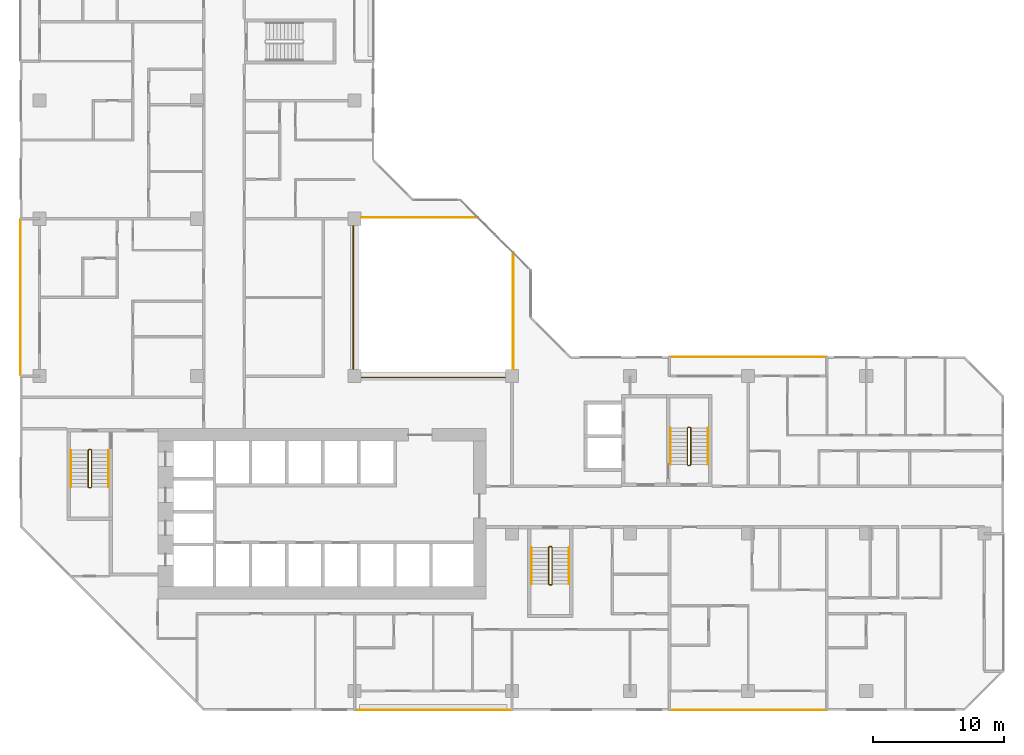
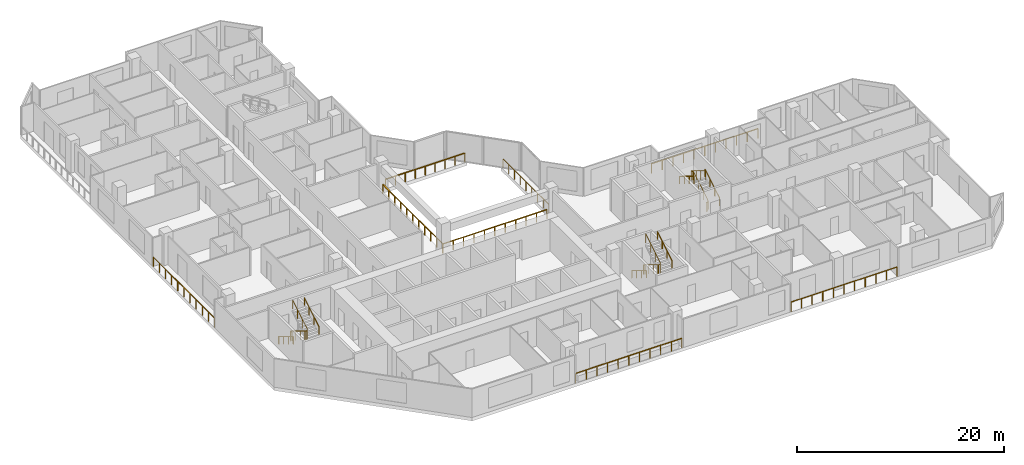
# One storey, part 14 of 15: 16 railings.
"""IFC4 building model written with IfcOpenShell, lengths in metres."""

from ifc_helpers import new_model, si_unit, direction, frame, origin, origin_2d, place, context, subcontext, project, spatial, rectangle, extrude, material, type_object, element, save


model = new_model("IFC4")

# Units and contexts
model_context = context("Model", 3, precision=1e-05, world=origin(), true_north=direction((0.0, 1.0)))
body_context = subcontext(model_context, "Body", "Model", "MODEL_VIEW")
ifc_project = project(units=[si_unit("LENGTHUNIT", "METRE"), si_unit("AREAUNIT", "SQUARE_METRE"), si_unit("VOLUMEUNIT", "CUBIC_METRE"), si_unit("PLANEANGLEUNIT", "RADIAN"), si_unit("MASSUNIT", "GRAM", prefix="KILO")], contexts=[model_context])

# Site, building, storey
site_placement = place(None, origin())
site = spatial("IfcSite", under=ifc_project, at=site_placement, CompositionType="ELEMENT")
building_placement = place(site_placement, origin())
building = spatial("IfcBuilding", under=site, at=building_placement, Name="Chenar Terraces", CompositionType="ELEMENT")
storey_placement = place(building_placement, frame((0.0, 0.0, 95.64990234375)))
storey = spatial("IfcBuildingStorey", under=building, at=storey_placement, Name="L21", CompositionType="ELEMENT", Elevation=95.64990234375)

# Railings
ifc_material_1 = material(Name="Powder-coated steel", Category="steel")
railing_type_1 = type_object("IfcRailingType", Name="Guard 1100 steel rail with glass infill", PredefinedType="GUARDRAIL", material=ifc_material_1)
railing_1_placement = place(storey_placement, frame((23.89990234375, 35.5, 0.0)))
element("IfcRailing", 1, at=railing_1_placement, inside=storey, type_object=railing_type_1, Name="Guard L21-1", PredefinedType="GUARDRAIL", context=body_context, shape_type="SweptSolid", body=[
    extrude(rectangle(XDim=0.06005859375, YDim=0.06005859375, at=origin_2d()), frame((0.0, 0.0, 1.070068359375), z_axis=(0.0, -1.0, 0.0), x_axis=(1.0, 0.0, 0.0)), (0.0, 0.0, 1.0), 11.60009765625),
    extrude(rectangle(XDim=0.06005859375, YDim=0.06005859375, at=origin_2d()), frame((0.0, -11.60009765625, 1.070068359375), z_axis=(1.0, 0.0, 0.0), x_axis=(0.0, 1.0, 0.0)), (0.0, 0.0, 1.0), 11.60009765625),
    extrude(rectangle(XDim=0.050048828125, YDim=0.050048828125, at=origin_2d()), origin(), (0.0, 0.0, 1.0), 1.0400390625),
    extrude(rectangle(XDim=0.050048828125, YDim=0.050048828125, at=origin_2d()), frame((0.0, -1.159912109375, 0.0)), (0.0, 0.0, 1.0), 1.0400390625),
    extrude(rectangle(XDim=0.050048828125, YDim=0.050048828125, at=origin_2d()), frame((0.0, -2.320068359375, 0.0)), (0.0, 0.0, 1.0), 1.0400390625),
    extrude(rectangle(XDim=0.050048828125, YDim=0.050048828125, at=origin_2d()), frame((0.0, -3.47998046875, 0.0)), (0.0, 0.0, 1.0), 1.0400390625),
    extrude(rectangle(XDim=0.050048828125, YDim=0.050048828125, at=origin_2d()), frame((0.0, -4.64013671875, 0.0)), (0.0, 0.0, 1.0), 1.0400390625),
    extrude(rectangle(XDim=0.050048828125, YDim=0.050048828125, at=origin_2d()), frame((0.0, -5.800048828125, 0.0)), (0.0, 0.0, 1.0), 1.0400390625),
    extrude(rectangle(XDim=0.050048828125, YDim=0.050048828125, at=origin_2d()), frame((0.0, -6.9599609375, 0.0)), (0.0, 0.0, 1.0), 1.0400390625),
    extrude(rectangle(XDim=0.050048828125, YDim=0.050048828125, at=origin_2d()), frame((0.0, -8.1201171875, 0.0)), (0.0, 0.0, 1.0), 1.0400390625),
    extrude(rectangle(XDim=0.050048828125, YDim=0.050048828125, at=origin_2d()), frame((0.0, -9.280029296875, 0.0)), (0.0, 0.0, 1.0), 1.0400390625),
    extrude(rectangle(XDim=0.050048828125, YDim=0.050048828125, at=origin_2d()), frame((0.0, -10.440185546875, 0.0)), (0.0, 0.0, 1.0), 1.0400390625),
    extrude(rectangle(XDim=0.050048828125, YDim=0.050048828125, at=origin_2d()), frame((0.0, -11.60009765625, 0.0)), (0.0, 0.0, 1.0), 1.0400390625),
    extrude(rectangle(XDim=0.050048828125, YDim=0.050048828125, at=origin_2d()), frame((1.159912109375, -11.60009765625, 0.0)), (0.0, 0.0, 1.0), 1.0400390625),
    extrude(rectangle(XDim=0.050048828125, YDim=0.050048828125, at=origin_2d()), frame((2.320068359375, -11.60009765625, 0.0)), (0.0, 0.0, 1.0), 1.0400390625),
    extrude(rectangle(XDim=0.050048828125, YDim=0.050048828125, at=origin_2d()), frame((3.47998046875, -11.60009765625, 0.0)), (0.0, 0.0, 1.0), 1.0400390625),
    extrude(rectangle(XDim=0.050048828125, YDim=0.050048828125, at=origin_2d()), frame((4.64013671875, -11.60009765625, 0.0)), (0.0, 0.0, 1.0), 1.0400390625),
    extrude(rectangle(XDim=0.050048828125, YDim=0.050048828125, at=origin_2d()), frame((5.800048828125, -11.60009765625, 0.0)), (0.0, 0.0, 1.0), 1.0400390625),
    extrude(rectangle(XDim=0.050048828125, YDim=0.050048828125, at=origin_2d()), frame((6.9599609375, -11.60009765625, 0.0)), (0.0, 0.0, 1.0), 1.0400390625),
    extrude(rectangle(XDim=0.050048828125, YDim=0.050048828125, at=origin_2d()), frame((8.1201171875, -11.60009765625, 0.0)), (0.0, 0.0, 1.0), 1.0400390625),
    extrude(rectangle(XDim=0.050048828125, YDim=0.050048828125, at=origin_2d()), frame((9.280029296875, -11.60009765625, 0.0)), (0.0, 0.0, 1.0), 1.0400390625),
    extrude(rectangle(XDim=0.050048828125, YDim=0.050048828125, at=origin_2d()), frame((10.440185546875, -11.60009765625, 0.0)), (0.0, 0.0, 1.0), 1.0400390625),
    extrude(rectangle(XDim=0.050048828125, YDim=0.050048828125, at=origin_2d()), frame((11.60009765625, -11.60009765625, 0.0)), (0.0, 0.0, 1.0), 1.0400390625),
])
railing_2_placement = place(storey_placement, frame((24.550048828125, 36.10009765625, 0.0)))
element("IfcRailing", 2, at=railing_2_placement, inside=storey, type_object=railing_type_1, Name="Guard L21-2", PredefinedType="GUARDRAIL", context=body_context, shape_type="SweptSolid", body=[
    extrude(rectangle(XDim=0.06005859375, YDim=0.06005859375, at=origin_2d()), frame((0.0, 0.0, 1.070068359375), z_axis=(1.0, 0.0, 0.0), x_axis=(0.0, 1.0, 0.0)), (0.0, 0.0, 1.0), 8.849853515625),
    extrude(rectangle(XDim=0.050048828125, YDim=0.050048828125, at=origin_2d()), origin(), (0.0, 0.0, 1.0), 1.0400390625),
    extrude(rectangle(XDim=0.050048828125, YDim=0.050048828125, at=origin_2d()), frame((1.106201171875, 0.0, 0.0)), (0.0, 0.0, 1.0), 1.0400390625),
    extrude(rectangle(XDim=0.050048828125, YDim=0.050048828125, at=origin_2d()), frame((2.21240234375, 0.0, 0.0)), (0.0, 0.0, 1.0), 1.0400390625),
    extrude(rectangle(XDim=0.050048828125, YDim=0.050048828125, at=origin_2d()), frame((3.318603515625, 0.0, 0.0)), (0.0, 0.0, 1.0), 1.0400390625),
    extrude(rectangle(XDim=0.050048828125, YDim=0.050048828125, at=origin_2d()), frame((4.4248046875, 0.0, 0.0)), (0.0, 0.0, 1.0), 1.0400390625),
    extrude(rectangle(XDim=0.050048828125, YDim=0.050048828125, at=origin_2d()), frame((5.53125, 0.0, 0.0)), (0.0, 0.0, 1.0), 1.0400390625),
    extrude(rectangle(XDim=0.050048828125, YDim=0.050048828125, at=origin_2d()), frame((6.637451171875, 0.0, 0.0)), (0.0, 0.0, 1.0), 1.0400390625),
    extrude(rectangle(XDim=0.050048828125, YDim=0.050048828125, at=origin_2d()), frame((7.74365234375, 0.0, 0.0)), (0.0, 0.0, 1.0), 1.0400390625),
    extrude(rectangle(XDim=0.050048828125, YDim=0.050048828125, at=origin_2d()), frame((8.849853515625, 0.0, 0.0)), (0.0, 0.0, 1.0), 1.0400390625),
])
railing_3_placement = place(storey_placement, frame((36.10009765625, 24.550048828125, 0.0)))
element("IfcRailing", 3, at=railing_3_placement, inside=storey, type_object=railing_type_1, Name="Guard L21-3", PredefinedType="GUARDRAIL", context=body_context, shape_type="SweptSolid", body=[
    extrude(rectangle(XDim=0.06005859375, YDim=0.06005859375, at=origin_2d()), frame((0.0, 0.0, 1.070068359375), z_axis=(0.0, 1.0, 0.0), x_axis=(-1.0, 0.0, 0.0)), (0.0, 0.0, 1.0), 8.849853515625),
    extrude(rectangle(XDim=0.050048828125, YDim=0.050048828125, at=origin_2d()), origin(), (0.0, 0.0, 1.0), 1.0400390625),
    extrude(rectangle(XDim=0.050048828125, YDim=0.050048828125, at=origin_2d()), frame((0.0, 1.106201171875, 0.0)), (0.0, 0.0, 1.0), 1.0400390625),
    extrude(rectangle(XDim=0.050048828125, YDim=0.050048828125, at=origin_2d()), frame((0.0, 2.21240234375, 0.0)), (0.0, 0.0, 1.0), 1.0400390625),
    extrude(rectangle(XDim=0.050048828125, YDim=0.050048828125, at=origin_2d()), frame((0.0, 3.318603515625, 0.0)), (0.0, 0.0, 1.0), 1.0400390625),
    extrude(rectangle(XDim=0.050048828125, YDim=0.050048828125, at=origin_2d()), frame((0.0, 4.4248046875, 0.0)), (0.0, 0.0, 1.0), 1.0400390625),
    extrude(rectangle(XDim=0.050048828125, YDim=0.050048828125, at=origin_2d()), frame((0.0, 5.53125, 0.0)), (0.0, 0.0, 1.0), 1.0400390625),
    extrude(rectangle(XDim=0.050048828125, YDim=0.050048828125, at=origin_2d()), frame((0.0, 6.637451171875, 0.0)), (0.0, 0.0, 1.0), 1.0400390625),
    extrude(rectangle(XDim=0.050048828125, YDim=0.050048828125, at=origin_2d()), frame((0.0, 7.74365234375, 0.0)), (0.0, 0.0, 1.0), 1.0400390625),
    extrude(rectangle(XDim=0.050048828125, YDim=0.050048828125, at=origin_2d()), frame((0.0, 8.849853515625, 0.0)), (0.0, 0.0, 1.0), 1.0400390625),
])
ifc_material_2 = material(Name="Stainless steel and glass", Category="steel")
railing_type_2 = type_object("IfcRailingType", Name="Loggia guard 1150", PredefinedType="GUARDRAIL", material=ifc_material_2)
railing_4_placement = place(storey_placement, frame((59.925048828125, 25.449951171875, 0.0)))
element("IfcRailing", 4, at=railing_4_placement, inside=storey, type_object=railing_type_2, Name="Loggia guard", PredefinedType="GUARDRAIL", context=body_context, shape_type="SweptSolid", body=[
    extrude(rectangle(XDim=0.048095703125, YDim=0.048095703125, at=origin_2d()), frame((0.0, 0.0, 1.1259765625), z_axis=(-1.0, 0.0, 0.0), x_axis=(0.0, -1.0, 0.0)), (0.0, 0.0, 1.0), 11.85009765625),
    extrude(rectangle(XDim=0.0419921875, YDim=0.0419921875, at=origin_2d()), origin(), (0.0, 0.0, 1.0), 1.101806640625),
    extrude(rectangle(XDim=0.0419921875, YDim=0.0419921875, at=origin_2d()), frame((-1.18505859375, 0.0, 0.0)), (0.0, 0.0, 1.0), 1.101806640625),
    extrude(rectangle(XDim=0.0419921875, YDim=0.0419921875, at=origin_2d()), frame((-2.3701171875, 0.0, 0.0)), (0.0, 0.0, 1.0), 1.101806640625),
    extrude(rectangle(XDim=0.0419921875, YDim=0.0419921875, at=origin_2d()), frame((-3.554931640625, 0.0, 0.0)), (0.0, 0.0, 1.0), 1.101806640625),
    extrude(rectangle(XDim=0.0419921875, YDim=0.0419921875, at=origin_2d()), frame((-4.739990234375, 0.0, 0.0)), (0.0, 0.0, 1.0), 1.101806640625),
    extrude(rectangle(XDim=0.0419921875, YDim=0.0419921875, at=origin_2d()), frame((-5.925048828125, 0.0, 0.0)), (0.0, 0.0, 1.0), 1.101806640625),
    extrude(rectangle(XDim=0.0419921875, YDim=0.0419921875, at=origin_2d()), frame((-7.110107421875, 0.0, 0.0)), (0.0, 0.0, 1.0), 1.101806640625),
    extrude(rectangle(XDim=0.0419921875, YDim=0.0419921875, at=origin_2d()), frame((-8.295166015625, 0.0, 0.0)), (0.0, 0.0, 1.0), 1.101806640625),
    extrude(rectangle(XDim=0.0419921875, YDim=0.0419921875, at=origin_2d()), frame((-9.47998046875, 0.0, 0.0)), (0.0, 0.0, 1.0), 1.101806640625),
    extrude(rectangle(XDim=0.0419921875, YDim=0.0419921875, at=origin_2d()), frame((-10.6650390625, 0.0, 0.0)), (0.0, 0.0, 1.0), 1.101806640625),
    extrude(rectangle(XDim=0.0419921875, YDim=0.0419921875, at=origin_2d()), frame((-11.85009765625, 0.0, 0.0)), (0.0, 0.0, 1.0), 1.101806640625),
])
railing_5_placement = place(storey_placement, frame((24.074951171875, -1.449951171875, 0.0)))
element("IfcRailing", 5, at=railing_5_placement, inside=storey, type_object=railing_type_2, Name="Loggia guard", PredefinedType="GUARDRAIL", context=body_context, shape_type="SweptSolid", body=[
    extrude(rectangle(XDim=0.048095703125, YDim=0.048095703125, at=origin_2d()), frame((0.0, 0.0, 1.1259765625), z_axis=(1.0, 0.0, 0.0), x_axis=(0.0, 1.0, 0.0)), (0.0, 0.0, 1.0), 11.85009765625),
    extrude(rectangle(XDim=0.0419921875, YDim=0.0419921875, at=origin_2d()), origin(), (0.0, 0.0, 1.0), 1.101806640625),
    extrude(rectangle(XDim=0.0419921875, YDim=0.0419921875, at=origin_2d()), frame((1.18505859375, 0.0, 0.0)), (0.0, 0.0, 1.0), 1.101806640625),
    extrude(rectangle(XDim=0.0419921875, YDim=0.0419921875, at=origin_2d()), frame((2.3701171875, 0.0, 0.0)), (0.0, 0.0, 1.0), 1.101806640625),
    extrude(rectangle(XDim=0.0419921875, YDim=0.0419921875, at=origin_2d()), frame((3.554931640625, 0.0, 0.0)), (0.0, 0.0, 1.0), 1.101806640625),
    extrude(rectangle(XDim=0.0419921875, YDim=0.0419921875, at=origin_2d()), frame((4.739990234375, 0.0, 0.0)), (0.0, 0.0, 1.0), 1.101806640625),
    extrude(rectangle(XDim=0.0419921875, YDim=0.0419921875, at=origin_2d()), frame((5.925048828125, 0.0, 0.0)), (0.0, 0.0, 1.0), 1.101806640625),
    extrude(rectangle(XDim=0.0419921875, YDim=0.0419921875, at=origin_2d()), frame((7.110107421875, 0.0, 0.0)), (0.0, 0.0, 1.0), 1.101806640625),
    extrude(rectangle(XDim=0.0419921875, YDim=0.0419921875, at=origin_2d()), frame((8.295166015625, 0.0, 0.0)), (0.0, 0.0, 1.0), 1.101806640625),
    extrude(rectangle(XDim=0.0419921875, YDim=0.0419921875, at=origin_2d()), frame((9.47998046875, 0.0, 0.0)), (0.0, 0.0, 1.0), 1.101806640625),
    extrude(rectangle(XDim=0.0419921875, YDim=0.0419921875, at=origin_2d()), frame((10.6650390625, 0.0, 0.0)), (0.0, 0.0, 1.0), 1.101806640625),
    extrude(rectangle(XDim=0.0419921875, YDim=0.0419921875, at=origin_2d()), frame((11.85009765625, 0.0, 0.0)), (0.0, 0.0, 1.0), 1.101806640625),
])
railing_6_placement = place(storey_placement, frame((48.074951171875, -1.449951171875, 0.0)))
element("IfcRailing", 6, at=railing_6_placement, inside=storey, type_object=railing_type_2, Name="Loggia guard", PredefinedType="GUARDRAIL", context=body_context, shape_type="SweptSolid", body=[
    extrude(rectangle(XDim=0.048095703125, YDim=0.048095703125, at=origin_2d()), frame((0.0, 0.0, 1.1259765625), z_axis=(1.0, 0.0, 0.0), x_axis=(0.0, 1.0, 0.0)), (0.0, 0.0, 1.0), 11.85009765625),
    extrude(rectangle(XDim=0.0419921875, YDim=0.0419921875, at=origin_2d()), origin(), (0.0, 0.0, 1.0), 1.101806640625),
    extrude(rectangle(XDim=0.0419921875, YDim=0.0419921875, at=origin_2d()), frame((1.18505859375, 0.0, 0.0)), (0.0, 0.0, 1.0), 1.101806640625),
    extrude(rectangle(XDim=0.0419921875, YDim=0.0419921875, at=origin_2d()), frame((2.3701171875, 0.0, 0.0)), (0.0, 0.0, 1.0), 1.101806640625),
    extrude(rectangle(XDim=0.0419921875, YDim=0.0419921875, at=origin_2d()), frame((3.554931640625, 0.0, 0.0)), (0.0, 0.0, 1.0), 1.101806640625),
    extrude(rectangle(XDim=0.0419921875, YDim=0.0419921875, at=origin_2d()), frame((4.739990234375, 0.0, 0.0)), (0.0, 0.0, 1.0), 1.101806640625),
    extrude(rectangle(XDim=0.0419921875, YDim=0.0419921875, at=origin_2d()), frame((5.925048828125, 0.0, 0.0)), (0.0, 0.0, 1.0), 1.101806640625),
    extrude(rectangle(XDim=0.0419921875, YDim=0.0419921875, at=origin_2d()), frame((7.110107421875, 0.0, 0.0)), (0.0, 0.0, 1.0), 1.101806640625),
    extrude(rectangle(XDim=0.0419921875, YDim=0.0419921875, at=origin_2d()), frame((8.295166015625, 0.0, 0.0)), (0.0, 0.0, 1.0), 1.101806640625),
    extrude(rectangle(XDim=0.0419921875, YDim=0.0419921875, at=origin_2d()), frame((9.47998046875, 0.0, 0.0)), (0.0, 0.0, 1.0), 1.101806640625),
    extrude(rectangle(XDim=0.0419921875, YDim=0.0419921875, at=origin_2d()), frame((10.6650390625, 0.0, 0.0)), (0.0, 0.0, 1.0), 1.101806640625),
    extrude(rectangle(XDim=0.0419921875, YDim=0.0419921875, at=origin_2d()), frame((11.85009765625, 0.0, 0.0)), (0.0, 0.0, 1.0), 1.101806640625),
])
railing_7_placement = place(storey_placement, frame((-1.449951171875, 35.925048828125, 0.0)))
element("IfcRailing", 7, at=railing_7_placement, inside=storey, type_object=railing_type_2, Name="Loggia guard", PredefinedType="GUARDRAIL", context=body_context, shape_type="SweptSolid", body=[
    extrude(rectangle(XDim=0.048095703125, YDim=0.048095703125, at=origin_2d()), frame((0.0, 0.0, 1.1259765625), z_axis=(0.0, -1.0, 0.0), x_axis=(1.0, 0.0, 0.0)), (0.0, 0.0, 1.0), 11.85009765625),
    extrude(rectangle(XDim=0.0419921875, YDim=0.0419921875, at=origin_2d()), origin(), (0.0, 0.0, 1.0), 1.101806640625),
    extrude(rectangle(XDim=0.0419921875, YDim=0.0419921875, at=origin_2d()), frame((0.0, -1.18505859375, 0.0)), (0.0, 0.0, 1.0), 1.101806640625),
    extrude(rectangle(XDim=0.0419921875, YDim=0.0419921875, at=origin_2d()), frame((0.0, -2.3701171875, 0.0)), (0.0, 0.0, 1.0), 1.101806640625),
    extrude(rectangle(XDim=0.0419921875, YDim=0.0419921875, at=origin_2d()), frame((0.0, -3.554931640625, 0.0)), (0.0, 0.0, 1.0), 1.101806640625),
    extrude(rectangle(XDim=0.0419921875, YDim=0.0419921875, at=origin_2d()), frame((0.0, -4.739990234375, 0.0)), (0.0, 0.0, 1.0), 1.101806640625),
    extrude(rectangle(XDim=0.0419921875, YDim=0.0419921875, at=origin_2d()), frame((0.0, -5.925048828125, 0.0)), (0.0, 0.0, 1.0), 1.101806640625),
    extrude(rectangle(XDim=0.0419921875, YDim=0.0419921875, at=origin_2d()), frame((0.0, -7.110107421875, 0.0)), (0.0, 0.0, 1.0), 1.101806640625),
    extrude(rectangle(XDim=0.0419921875, YDim=0.0419921875, at=origin_2d()), frame((0.0, -8.295166015625, 0.0)), (0.0, 0.0, 1.0), 1.101806640625),
    extrude(rectangle(XDim=0.0419921875, YDim=0.0419921875, at=origin_2d()), frame((0.0, -9.47998046875, 0.0)), (0.0, 0.0, 1.0), 1.101806640625),
    extrude(rectangle(XDim=0.0419921875, YDim=0.0419921875, at=origin_2d()), frame((0.0, -10.6650390625, 0.0)), (0.0, 0.0, 1.0), 1.101806640625),
    extrude(rectangle(XDim=0.0419921875, YDim=0.0419921875, at=origin_2d()), frame((0.0, -11.85009765625, 0.0)), (0.0, 0.0, 1.0), 1.101806640625),
])
ifc_material_3 = material(Name="Powder-coated steel", Category="steel")
railing_type_3 = type_object("IfcRailingType", Name="Stair guard 1100", PredefinedType="GUARDRAIL", material=ifc_material_3)
railing_8_placement = place(storey_placement, frame((3.949951171875, 18.35009765625, 3.75)))
element("IfcRailing", 8, at=railing_8_placement, inside=storey, type_object=railing_type_3, Name="L21 ST1 stair guard 1", PredefinedType="GUARDRAIL", context=body_context, shape_type="SweptSolid", body=[
    extrude(rectangle(XDim=0.048095703125, YDim=0.048095703125, at=origin_2d()), frame((0.0, 0.0, 1.076171875), z_axis=(0.0, -0.854202870247, -0.519939858505), x_axis=(1.0, 0.0, 0.0)), (0.0, 0.0, 1.0), 3.278076171875),
    extrude(rectangle(XDim=0.048095703125, YDim=0.048095703125, at=origin_2d()), frame((0.0, -2.800048828125, -0.62841796875), z_axis=(-0.270899902878, -0.270899902878, -0.923702595667), x_axis=(0.707106781187, -0.707106781187, 0.0)), (0.0, 0.0, 1.0), 0.184814453125),
    extrude(rectangle(XDim=0.048095703125, YDim=0.048095703125, at=origin_2d()), frame((-0.050048828125, -2.85009765625, -0.798828125), z_axis=(-1.0, 0.0, 0.0), x_axis=(0.0, -1.0, 0.0)), (0.0, 0.0, 1.0), 0.14990234375),
    extrude(rectangle(XDim=0.048095703125, YDim=0.048095703125, at=origin_2d()), frame((-0.199951171875, -2.85009765625, -0.798828125), z_axis=(-0.707106781187, 0.707106781187, 0.0), x_axis=(-0.707106781187, -0.707106781187, 0.0)), (0.0, 0.0, 1.0), 0.07080078125),
    extrude(rectangle(XDim=0.048095703125, YDim=0.048095703125, at=origin_2d()), frame((-0.25, -2.800048828125, -0.798828125), z_axis=(0.0, 0.854202870247, -0.519939858505), x_axis=(-1.0, 0.0, 0.0)), (0.0, 0.0, 1.0), 3.278076171875),
    extrude(rectangle(XDim=0.048095703125, YDim=0.048095703125, at=origin_2d()), frame((-0.25, 0.0, -2.50341796875), z_axis=(0.270996696079, 0.269674760976, -0.924032636873), x_axis=(-0.705375805398, 0.708833529934, 0.0)), (0.0, 0.0, 1.0), 0.1845703125),
    extrude(rectangle(XDim=0.048095703125, YDim=0.048095703125, at=origin_2d()), frame((-0.199951171875, 0.0498046875, -2.673828125), z_axis=(1.0, 0.0, 0.0), x_axis=(0.0, 1.0, 0.0)), (0.0, 0.0, 1.0), 0.14990234375),
    extrude(rectangle(XDim=0.0419921875, YDim=0.0419921875, at=origin_2d()), origin(), (0.0, 0.0, 1.0), 1.052001953125),
    extrude(rectangle(XDim=0.0419921875, YDim=0.0419921875, at=origin_2d()), frame((0.0, -0.933349609375, -0.568115234375)), (0.0, 0.0, 1.0), 1.052001953125),
    extrude(rectangle(XDim=0.0419921875, YDim=0.0419921875, at=origin_2d()), frame((0.0, -1.86669921875, -1.13623046875)), (0.0, 0.0, 1.0), 1.052001953125),
    extrude(rectangle(XDim=0.0419921875, YDim=0.0419921875, at=origin_2d()), frame((0.0, -2.800048828125, -1.704345703125)), (0.0, 0.0, 1.0), 1.052001953125),
    extrude(rectangle(XDim=0.0419921875, YDim=0.0419921875, at=origin_2d()), frame((-0.050048828125, -2.85009765625, -1.875)), (0.0, 0.0, 1.0), 1.052001953125),
    extrude(rectangle(XDim=0.0419921875, YDim=0.0419921875, at=origin_2d()), frame((-0.199951171875, -2.85009765625, -1.875)), (0.0, 0.0, 1.0), 1.052001953125),
    extrude(rectangle(XDim=0.0419921875, YDim=0.0419921875, at=origin_2d()), frame((-0.25, -2.800048828125, -1.875)), (0.0, 0.0, 1.0), 1.052001953125),
    extrude(rectangle(XDim=0.0419921875, YDim=0.0419921875, at=origin_2d()), frame((-0.25, -1.86669921875, -2.443115234375)), (0.0, 0.0, 1.0), 1.052001953125),
    extrude(rectangle(XDim=0.0419921875, YDim=0.0419921875, at=origin_2d()), frame((-0.25, -0.933349609375, -3.01123046875)), (0.0, 0.0, 1.0), 1.052001953125),
    extrude(rectangle(XDim=0.0419921875, YDim=0.0419921875, at=origin_2d()), frame((-0.25, 0.0, -3.579345703125)), (0.0, 0.0, 1.0), 1.052001953125),
    extrude(rectangle(XDim=0.0419921875, YDim=0.0419921875, at=origin_2d()), frame((-0.199951171875, 0.0498046875, -3.75)), (0.0, 0.0, 1.0), 1.052001953125),
    extrude(rectangle(XDim=0.0419921875, YDim=0.0419921875, at=origin_2d()), frame((-0.050048828125, 0.0498046875, -3.75)), (0.0, 0.0, 1.0), 1.052001953125),
])
railing_9_placement = place(storey_placement, frame((39.050048828125, 10.949951171875, 3.75)))
element("IfcRailing", 9, at=railing_9_placement, inside=storey, type_object=railing_type_3, Name="L21 ST2 stair guard 1", PredefinedType="GUARDRAIL", context=body_context, shape_type="SweptSolid", body=[
    extrude(rectangle(XDim=0.048095703125, YDim=0.048095703125, at=origin_2d()), frame((0.0, 0.0, 1.076171875), z_axis=(0.0, -0.854202870247, -0.519939858505), x_axis=(1.0, 0.0, 0.0)), (0.0, 0.0, 1.0), 3.278076171875),
    extrude(rectangle(XDim=0.048095703125, YDim=0.048095703125, at=origin_2d()), frame((0.0, -2.800048828125, -0.62841796875), z_axis=(-0.270996696079, -0.269674760976, -0.924032636873), x_axis=(0.705375805398, -0.708833529934, 0.0)), (0.0, 0.0, 1.0), 0.1845703125),
    extrude(rectangle(XDim=0.048095703125, YDim=0.048095703125, at=origin_2d()), frame((-0.050048828125, -2.849853515625, -0.798828125), z_axis=(-1.0, 0.0, 0.0), x_axis=(0.0, -1.0, 0.0)), (0.0, 0.0, 1.0), 0.14990234375),
    extrude(rectangle(XDim=0.048095703125, YDim=0.048095703125, at=origin_2d()), frame((-0.199951171875, -2.849853515625, -0.798828125), z_axis=(-0.708833529934, 0.705375805398, 0.0), x_axis=(-0.705375805398, -0.708833529934, 0.0)), (0.0, 0.0, 1.0), 0.070556640625),
    extrude(rectangle(XDim=0.048095703125, YDim=0.048095703125, at=origin_2d()), frame((-0.25, -2.800048828125, -0.798828125), z_axis=(0.0, 0.854202870247, -0.519939858505), x_axis=(-1.0, 0.0, 0.0)), (0.0, 0.0, 1.0), 3.278076171875),
    extrude(rectangle(XDim=0.048095703125, YDim=0.048095703125, at=origin_2d()), frame((-0.25, 0.0, -2.50341796875), z_axis=(0.270899902878, 0.270899902878, -0.923702595667), x_axis=(-0.707106781187, 0.707106781187, 0.0)), (0.0, 0.0, 1.0), 0.184814453125),
    extrude(rectangle(XDim=0.048095703125, YDim=0.048095703125, at=origin_2d()), frame((-0.199951171875, 0.050048828125, -2.673828125), z_axis=(1.0, 0.0, 0.0), x_axis=(0.0, 1.0, 0.0)), (0.0, 0.0, 1.0), 0.14990234375),
    extrude(rectangle(XDim=0.0419921875, YDim=0.0419921875, at=origin_2d()), origin(), (0.0, 0.0, 1.0), 1.052001953125),
    extrude(rectangle(XDim=0.0419921875, YDim=0.0419921875, at=origin_2d()), frame((0.0, -0.933349609375, -0.568115234375)), (0.0, 0.0, 1.0), 1.052001953125),
    extrude(rectangle(XDim=0.0419921875, YDim=0.0419921875, at=origin_2d()), frame((0.0, -1.86669921875, -1.13623046875)), (0.0, 0.0, 1.0), 1.052001953125),
    extrude(rectangle(XDim=0.0419921875, YDim=0.0419921875, at=origin_2d()), frame((0.0, -2.800048828125, -1.704345703125)), (0.0, 0.0, 1.0), 1.052001953125),
    extrude(rectangle(XDim=0.0419921875, YDim=0.0419921875, at=origin_2d()), frame((-0.050048828125, -2.849853515625, -1.875)), (0.0, 0.0, 1.0), 1.052001953125),
    extrude(rectangle(XDim=0.0419921875, YDim=0.0419921875, at=origin_2d()), frame((-0.199951171875, -2.849853515625, -1.875)), (0.0, 0.0, 1.0), 1.052001953125),
    extrude(rectangle(XDim=0.0419921875, YDim=0.0419921875, at=origin_2d()), frame((-0.25, -2.800048828125, -1.875)), (0.0, 0.0, 1.0), 1.052001953125),
    extrude(rectangle(XDim=0.0419921875, YDim=0.0419921875, at=origin_2d()), frame((-0.25, -1.86669921875, -2.443115234375)), (0.0, 0.0, 1.0), 1.052001953125),
    extrude(rectangle(XDim=0.0419921875, YDim=0.0419921875, at=origin_2d()), frame((-0.25, -0.933349609375, -3.01123046875)), (0.0, 0.0, 1.0), 1.052001953125),
    extrude(rectangle(XDim=0.0419921875, YDim=0.0419921875, at=origin_2d()), frame((-0.25, 0.0, -3.579345703125)), (0.0, 0.0, 1.0), 1.052001953125),
    extrude(rectangle(XDim=0.0419921875, YDim=0.0419921875, at=origin_2d()), frame((-0.199951171875, 0.050048828125, -3.75)), (0.0, 0.0, 1.0), 1.052001953125),
    extrude(rectangle(XDim=0.0419921875, YDim=0.0419921875, at=origin_2d()), frame((-0.050048828125, 0.050048828125, -3.75)), (0.0, 0.0, 1.0), 1.052001953125),
])
railing_10_placement = place(storey_placement, frame((49.375, 17.25, 3.75)))
element("IfcRailing", 10, at=railing_10_placement, inside=storey, type_object=railing_type_3, Name="L21 ST3 stair guard 1", PredefinedType="GUARDRAIL", context=body_context, shape_type="SweptSolid", body=[
    extrude(rectangle(XDim=0.048095703125, YDim=0.048095703125, at=origin_2d()), frame((0.0, 0.0, 1.076171875), z_axis=(0.0, 0.854202870247, -0.519939858505), x_axis=(-1.0, 0.0, 0.0)), (0.0, 0.0, 1.0), 3.278076171875),
    extrude(rectangle(XDim=0.048095703125, YDim=0.048095703125, at=origin_2d()), frame((0.0, 2.800048828125, -0.62841796875), z_axis=(0.270899902878, 0.270899902878, -0.923702595667), x_axis=(-0.707106781187, 0.707106781187, 0.0)), (0.0, 0.0, 1.0), 0.184814453125),
    extrude(rectangle(XDim=0.048095703125, YDim=0.048095703125, at=origin_2d()), frame((0.050048828125, 2.85009765625, -0.798828125), z_axis=(1.0, 0.0, 0.0), x_axis=(0.0, 1.0, 0.0)), (0.0, 0.0, 1.0), 0.14990234375),
    extrude(rectangle(XDim=0.048095703125, YDim=0.048095703125, at=origin_2d()), frame((0.199951171875, 2.85009765625, -0.798828125), z_axis=(0.707106781187, -0.707106781187, 0.0), x_axis=(0.707106781187, 0.707106781187, 0.0)), (0.0, 0.0, 1.0), 0.07080078125),
    extrude(rectangle(XDim=0.048095703125, YDim=0.048095703125, at=origin_2d()), frame((0.25, 2.800048828125, -0.798828125), z_axis=(0.0, -0.854202870247, -0.519939858505), x_axis=(1.0, 0.0, 0.0)), (0.0, 0.0, 1.0), 3.278076171875),
    extrude(rectangle(XDim=0.048095703125, YDim=0.048095703125, at=origin_2d()), frame((0.25, 0.0, -2.50341796875), z_axis=(-0.270899902878, -0.270899902878, -0.923702595667), x_axis=(0.707106781187, -0.707106781187, 0.0)), (0.0, 0.0, 1.0), 0.184814453125),
    extrude(rectangle(XDim=0.048095703125, YDim=0.048095703125, at=origin_2d()), frame((0.199951171875, -0.050048828125, -2.673828125), z_axis=(-1.0, 0.0, 0.0), x_axis=(0.0, -1.0, 0.0)), (0.0, 0.0, 1.0), 0.14990234375),
    extrude(rectangle(XDim=0.0419921875, YDim=0.0419921875, at=origin_2d()), origin(), (0.0, 0.0, 1.0), 1.052001953125),
    extrude(rectangle(XDim=0.0419921875, YDim=0.0419921875, at=origin_2d()), frame((0.0, 0.933349609375, -0.568115234375)), (0.0, 0.0, 1.0), 1.052001953125),
    extrude(rectangle(XDim=0.0419921875, YDim=0.0419921875, at=origin_2d()), frame((0.0, 1.86669921875, -1.13623046875)), (0.0, 0.0, 1.0), 1.052001953125),
    extrude(rectangle(XDim=0.0419921875, YDim=0.0419921875, at=origin_2d()), frame((0.0, 2.800048828125, -1.704345703125)), (0.0, 0.0, 1.0), 1.052001953125),
    extrude(rectangle(XDim=0.0419921875, YDim=0.0419921875, at=origin_2d()), frame((0.050048828125, 2.85009765625, -1.875)), (0.0, 0.0, 1.0), 1.052001953125),
    extrude(rectangle(XDim=0.0419921875, YDim=0.0419921875, at=origin_2d()), frame((0.199951171875, 2.85009765625, -1.875)), (0.0, 0.0, 1.0), 1.052001953125),
    extrude(rectangle(XDim=0.0419921875, YDim=0.0419921875, at=origin_2d()), frame((0.25, 2.800048828125, -1.875)), (0.0, 0.0, 1.0), 1.052001953125),
    extrude(rectangle(XDim=0.0419921875, YDim=0.0419921875, at=origin_2d()), frame((0.25, 1.86669921875, -2.443115234375)), (0.0, 0.0, 1.0), 1.052001953125),
    extrude(rectangle(XDim=0.0419921875, YDim=0.0419921875, at=origin_2d()), frame((0.25, 0.933349609375, -3.01123046875)), (0.0, 0.0, 1.0), 1.052001953125),
    extrude(rectangle(XDim=0.0419921875, YDim=0.0419921875, at=origin_2d()), frame((0.25, 0.0, -3.579345703125)), (0.0, 0.0, 1.0), 1.052001953125),
    extrude(rectangle(XDim=0.0419921875, YDim=0.0419921875, at=origin_2d()), frame((0.199951171875, -0.050048828125, -3.75)), (0.0, 0.0, 1.0), 1.052001953125),
    extrude(rectangle(XDim=0.0419921875, YDim=0.0419921875, at=origin_2d()), frame((0.050048828125, -0.050048828125, -3.75)), (0.0, 0.0, 1.0), 1.052001953125),
])
ifc_material_4 = material(Name="Powder-coated steel", Category="steel")
railing_type_4 = type_object("IfcRailingType", Name="Stair handrail 900", PredefinedType="HANDRAIL", material=ifc_material_4)
railing_11_placement = place(storey_placement, frame((2.39990234375, 18.35009765625, 0.170654296875)))
element("IfcRailing", 11, at=railing_11_placement, inside=storey, type_object=railing_type_4, Name="L21 ST1 stair handrail 1", PredefinedType="HANDRAIL", context=body_context, shape_type="SweptSolid", body=[
    extrude(rectangle(XDim=0.048095703125, YDim=0.048095703125, at=origin_2d()), frame((0.0, 0.0, 0.8759765625), z_axis=(0.0, -0.854202870247, 0.519939858505), x_axis=(1.0, 0.0, 0.0)), (0.0, 0.0, 1.0), 3.278076171875),
    extrude(rectangle(XDim=0.0419921875, YDim=0.0419921875, at=origin_2d()), origin(), (0.0, 0.0, 1.0), 0.851806640625),
    extrude(rectangle(XDim=0.0419921875, YDim=0.0419921875, at=origin_2d()), frame((0.0, -0.933349609375, 0.568115234375)), (0.0, 0.0, 1.0), 0.851806640625),
    extrude(rectangle(XDim=0.0419921875, YDim=0.0419921875, at=origin_2d()), frame((0.0, -1.86669921875, 1.13623046875)), (0.0, 0.0, 1.0), 0.851806640625),
    extrude(rectangle(XDim=0.0419921875, YDim=0.0419921875, at=origin_2d()), frame((0.0, -2.800048828125, 1.704345703125)), (0.0, 0.0, 1.0), 0.851806640625),
])
railing_12_placement = place(storey_placement, frame((5.25, 15.550048828125, 2.045654296875)))
element("IfcRailing", 12, at=railing_12_placement, inside=storey, type_object=railing_type_4, Name="L21 ST1 stair handrail 2", PredefinedType="HANDRAIL", context=body_context, shape_type="SweptSolid", body=[
    extrude(rectangle(XDim=0.048095703125, YDim=0.048095703125, at=origin_2d()), frame((0.0, 0.0, 0.8759765625), z_axis=(0.0, 0.854202870247, 0.519939858505), x_axis=(-1.0, 0.0, 0.0)), (0.0, 0.0, 1.0), 3.278076171875),
    extrude(rectangle(XDim=0.0419921875, YDim=0.0419921875, at=origin_2d()), origin(), (0.0, 0.0, 1.0), 0.851806640625),
    extrude(rectangle(XDim=0.0419921875, YDim=0.0419921875, at=origin_2d()), frame((0.0, 0.933349609375, 0.568115234375)), (0.0, 0.0, 1.0), 0.851806640625),
    extrude(rectangle(XDim=0.0419921875, YDim=0.0419921875, at=origin_2d()), frame((0.0, 1.86669921875, 1.13623046875)), (0.0, 0.0, 1.0), 0.851806640625),
    extrude(rectangle(XDim=0.0419921875, YDim=0.0419921875, at=origin_2d()), frame((0.0, 2.800048828125, 1.704345703125)), (0.0, 0.0, 1.0), 0.851806640625),
])
railing_13_placement = place(storey_placement, frame((37.5, 10.949951171875, 0.170654296875)))
element("IfcRailing", 13, at=railing_13_placement, inside=storey, type_object=railing_type_4, Name="L21 ST2 stair handrail 1", PredefinedType="HANDRAIL", context=body_context, shape_type="SweptSolid", body=[
    extrude(rectangle(XDim=0.048095703125, YDim=0.048095703125, at=origin_2d()), frame((0.0, 0.0, 0.8759765625), z_axis=(0.0, -0.854202870247, 0.519939858505), x_axis=(1.0, 0.0, 0.0)), (0.0, 0.0, 1.0), 3.278076171875),
    extrude(rectangle(XDim=0.0419921875, YDim=0.0419921875, at=origin_2d()), origin(), (0.0, 0.0, 1.0), 0.851806640625),
    extrude(rectangle(XDim=0.0419921875, YDim=0.0419921875, at=origin_2d()), frame((0.0, -0.933349609375, 0.568115234375)), (0.0, 0.0, 1.0), 0.851806640625),
    extrude(rectangle(XDim=0.0419921875, YDim=0.0419921875, at=origin_2d()), frame((0.0, -1.86669921875, 1.13623046875)), (0.0, 0.0, 1.0), 0.851806640625),
    extrude(rectangle(XDim=0.0419921875, YDim=0.0419921875, at=origin_2d()), frame((0.0, -2.800048828125, 1.704345703125)), (0.0, 0.0, 1.0), 0.851806640625),
])
for number, where, name in (
    (14, (40.35009765625, 8.14990234375, 2.045654296875), "L21 ST2 stair handrail 2"),
    (15, (50.925048828125, 17.25, 0.170654296875), "L21 ST3 stair handrail 1"),
):
    element("IfcRailing", number, at=place(storey_placement, frame(where)), inside=storey, type_object=railing_type_4, Name=name, PredefinedType="HANDRAIL", context=body_context, shape_type="SweptSolid", body=[
        extrude(rectangle(XDim=0.048095703125, YDim=0.048095703125, at=origin_2d()), frame((0.0, 0.0, 0.8759765625), z_axis=(0.0, 0.854202870247, 0.519939858505), x_axis=(-1.0, 0.0, 0.0)), (0.0, 0.0, 1.0), 3.278076171875),
        extrude(rectangle(XDim=0.0419921875, YDim=0.0419921875, at=origin_2d()), origin(), (0.0, 0.0, 1.0), 0.851806640625),
        extrude(rectangle(XDim=0.0419921875, YDim=0.0419921875, at=origin_2d()), frame((0.0, 0.933349609375, 0.568115234375)), (0.0, 0.0, 1.0), 0.851806640625),
        extrude(rectangle(XDim=0.0419921875, YDim=0.0419921875, at=origin_2d()), frame((0.0, 1.86669921875, 1.13623046875)), (0.0, 0.0, 1.0), 0.851806640625),
        extrude(rectangle(XDim=0.0419921875, YDim=0.0419921875, at=origin_2d()), frame((0.0, 2.800048828125, 1.704345703125)), (0.0, 0.0, 1.0), 0.851806640625),
    ])
railing_14_placement = place(storey_placement, frame((48.074951171875, 20.050048828125, 2.045654296875)))
element("IfcRailing", 16, at=railing_14_placement, inside=storey, type_object=railing_type_4, Name="L21 ST3 stair handrail 2", PredefinedType="HANDRAIL", context=body_context, shape_type="SweptSolid", body=[
    extrude(rectangle(XDim=0.048095703125, YDim=0.048095703125, at=origin_2d()), frame((0.0, 0.0, 0.8759765625), z_axis=(0.0, -0.854202870247, 0.519939858505), x_axis=(1.0, 0.0, 0.0)), (0.0, 0.0, 1.0), 3.278076171875),
    extrude(rectangle(XDim=0.0419921875, YDim=0.0419921875, at=origin_2d()), origin(), (0.0, 0.0, 1.0), 0.851806640625),
    extrude(rectangle(XDim=0.0419921875, YDim=0.0419921875, at=origin_2d()), frame((0.0, -0.933349609375, 0.568115234375)), (0.0, 0.0, 1.0), 0.851806640625),
    extrude(rectangle(XDim=0.0419921875, YDim=0.0419921875, at=origin_2d()), frame((0.0, -1.86669921875, 1.13623046875)), (0.0, 0.0, 1.0), 0.851806640625),
    extrude(rectangle(XDim=0.0419921875, YDim=0.0419921875, at=origin_2d()), frame((0.0, -2.800048828125, 1.704345703125)), (0.0, 0.0, 1.0), 0.851806640625),
])

save(model, "model.ifc")
